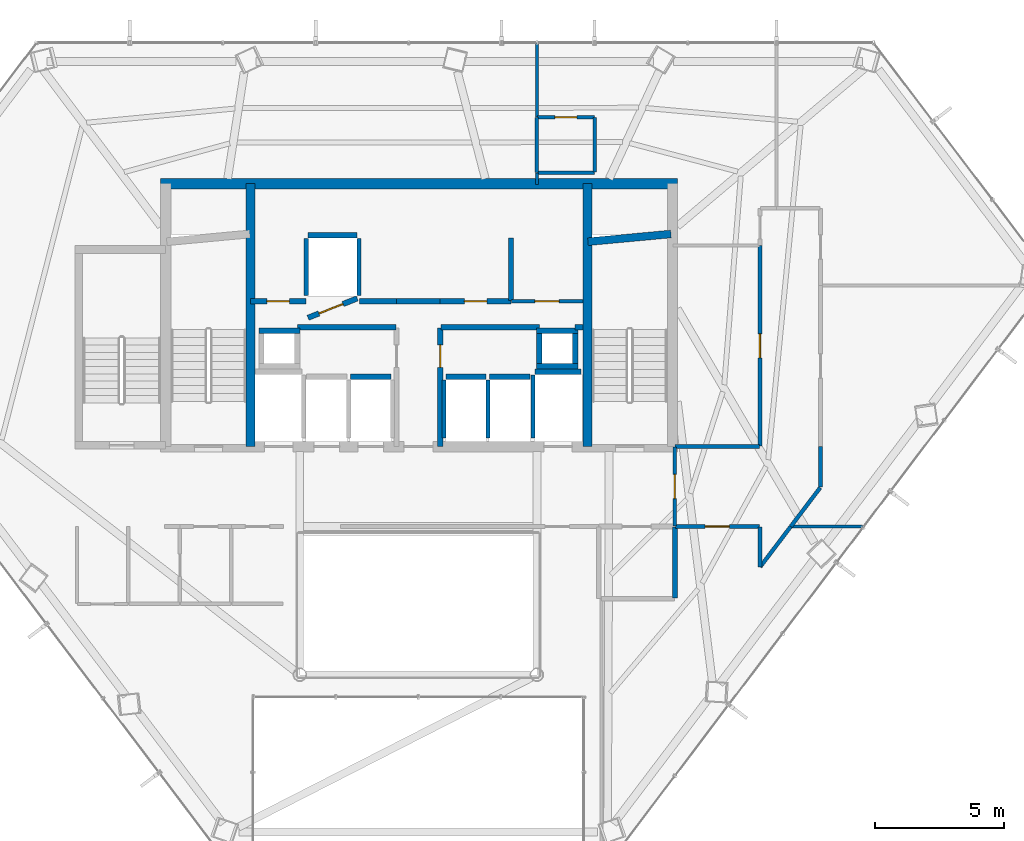
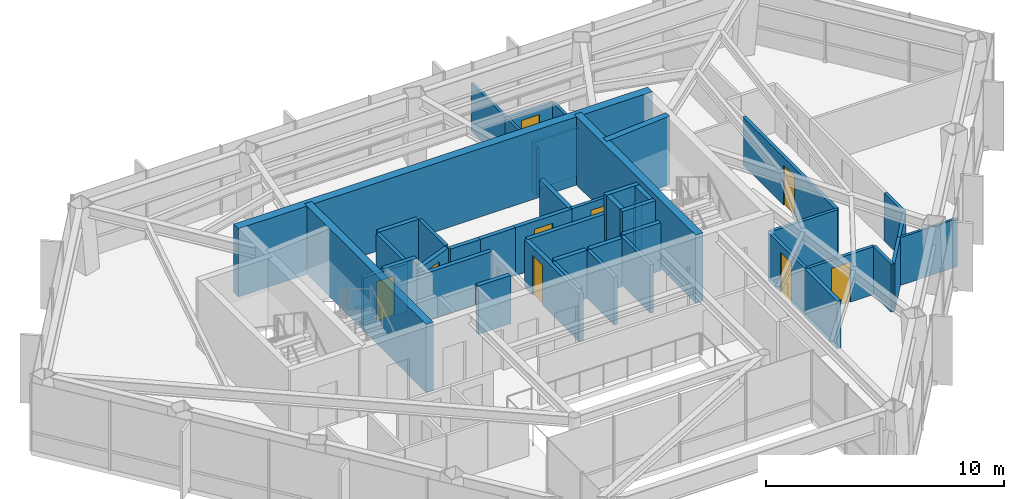
# One storey, part 28 of 30: 46 walls, 9 doors, 9 openings.
"""IFC4 building model written with IfcOpenShell, lengths in metres."""

from ifc_helpers import new_model, si_unit, direction, frame, frame_2d, origin, place, context, subcontext, project, spatial, rectangle, extrude, material, layer, layer_set, type_object, element, fill, save


model = new_model("IFC4")

# Units and contexts
model_context = context("Model", 3, precision=1e-05, world=origin(), true_north=direction((0.0, 1.0)))
body_context = subcontext(model_context, "Body", "Model", "MODEL_VIEW")
ifc_project = project(units=[si_unit("LENGTHUNIT", "METRE"), si_unit("AREAUNIT", "SQUARE_METRE"), si_unit("VOLUMEUNIT", "CUBIC_METRE"), si_unit("PLANEANGLEUNIT", "RADIAN"), si_unit("MASSUNIT", "GRAM", prefix="KILO")], contexts=[model_context])

# Site, building, storey
site_placement = place(None, origin())
site = spatial("IfcSite", under=ifc_project, at=site_placement, CompositionType="ELEMENT")
building_placement = place(site_placement, origin())
building = spatial("IfcBuilding", under=site, at=building_placement, Name="Zarrinselat Tower", CompositionType="ELEMENT")
storey_placement = place(building_placement, frame((0.0, 0.0, 160.820068359375)))
storey = spatial("IfcBuildingStorey", under=building, at=storey_placement, Name="L39", CompositionType="ELEMENT", Elevation=160.820068359375)

# Wall
ifc_material_1 = material(Name="Concrete C40/50", Category="concrete")
ifc_layer_1 = layer(ifc_material_1, 0.18994140625)
ifc_layer_set_1 = layer_set([ifc_layer_1], Name="Concrete C40/50")
wall_type_1 = type_object("IfcWallType", Name="WAL-PART-EI120", PredefinedType="PARTITIONING", material=ifc_layer_set_1)
wall_1_placement = place(storey_placement, frame((48.35009765625, 27.3701171875, 0.0), z_axis=(0.0, 0.0, 1.0), x_axis=(0.0, 1.0, 0.0)))
element("IfcWall", 1, at=wall_1_placement, inside=storey, type_object=wall_type_1, Name="L39 Partition Wall 19", PredefinedType="PARTITIONING", context=body_context, shape_type="SweptSolid", body=[
    extrude(rectangle(XDim=2.759765625, YDim=0.18994140625, at=frame_2d((1.3798828125, 0.0))), origin(), (0.0, 0.0, 1.0), 2.45703125),
])

# Wall, opening, door
ifc_material_2 = material(Name="Fire-Rated Gypsum Board Partition", Category="gypsum")
ifc_layer_2 = layer(ifc_material_2, 0.14990234375)
ifc_layer_set_2 = layer_set([ifc_layer_2], Name="Fire-Rated Gypsum Board Partition")
wall_type_2 = type_object("IfcWallType", Name="WAL-PART-EI60", PredefinedType="PARTITIONING", material=ifc_layer_set_2)
wall_2_placement = place(storey_placement, frame((42.0048828125, 38.889892578125, 0.0), z_axis=(0.0, 0.0, 1.0), x_axis=(1.0, 0.0, 0.0)))
wall_2 = element("IfcWall", 2, at=wall_2_placement, inside=storey, type_object=wall_type_2, Name="L39 Partition Wall 7", PredefinedType="PARTITIONING", context=body_context, shape_type="SweptSolid", body=[
    extrude(rectangle(XDim=2.780029296875, YDim=0.14990234375, at=frame_2d((1.39013671875, 0.0))), origin(), (0.0, 0.0, 1.0), 2.45703125),
])
opening_1_placement = place(wall_2_placement, frame((0.919921875, 0.0, 0.0)))
opening_1 = element("IfcOpeningElement", 3, at=opening_1_placement, cuts=wall_2, Name="Opening ID-04", PredefinedType="OPENING", context=body_context, shape_type="SweptSolid", body=[
    extrude(rectangle(XDim=0.93994140625, YDim=2.050048828125, at=frame_2d((0.469970703125, 1.02490234375))), frame((0.0, 0.0849609375, 0.0), z_axis=(0.0, -1.0, 0.0), x_axis=(1.0, 0.0, 0.0)), (0.0, 0.0, 1.0), 0.169921875),
])
ifc_material_3 = material(Name="Fire-Rated Gypsum Board Partition")
door_type_1 = type_object("IfcDoorType", Name="DR-INT-FD30-ENT", OperationType="NOTDEFINED", PredefinedType="DOOR", material=ifc_material_3)
door_1_placement = place(opening_1_placement, origin())
door_1 = element("IfcDoor", 4, at=door_1_placement, inside=storey, type_object=door_type_1, Name="L39 Interior Door P7", OperationType="SINGLE_SWING_LEFT", OverallHeight=2.050048828125, OverallWidth=0.93994140625, PredefinedType="DOOR", context=body_context, shape_type="SweptSolid", body=[
    extrude(rectangle(XDim=0.93994140625, YDim=2.050048828125, at=frame_2d((0.469970703125, 1.02490234375))), frame((0.0, 0.02490234375, 0.0), z_axis=(0.0, -1.0, 0.0), x_axis=(1.0, 0.0, 0.0)), (0.0, 0.0, 1.0), 0.050048828125),
])
fill(opening_1, door_1)

wall_3_placement = place(storey_placement, frame((48.35009765625, 30.169921875, 0.0), z_axis=(0.0, 0.0, 1.0), x_axis=(0.0, 1.0, 0.0)))
wall_3 = element("IfcWall", 5, at=wall_3_placement, inside=storey, type_object=wall_type_2, Name="L39 Partition Wall 13", PredefinedType="PARTITIONING", context=body_context, shape_type="SweptSolid", body=[
    extrude(rectangle(XDim=3.06005859375, YDim=0.14990234375, at=frame_2d((1.530029296875, 0.0))), origin(), (0.0, 0.0, 1.0), 2.45703125),
])
opening_2_placement = place(wall_3_placement, frame((1.06005859375, 0.0, 0.0)))
opening_2 = element("IfcOpeningElement", 6, at=opening_2_placement, cuts=wall_3, Name="Opening ID-04", PredefinedType="OPENING", context=body_context, shape_type="SweptSolid", body=[
    extrude(rectangle(XDim=0.93994140625, YDim=2.050048828125, at=frame_2d((0.469970703125, 1.02490234375))), frame((0.0, 0.0849609375, 0.0), z_axis=(0.0, -1.0, 0.0), x_axis=(1.0, 0.0, 0.0)), (0.0, 0.0, 1.0), 0.169921875),
])
door_2_placement = place(opening_2_placement, origin())
door_2 = element("IfcDoor", 7, at=door_2_placement, inside=storey, type_object=door_type_1, Name="L39 Interior Door P13", OperationType="SINGLE_SWING_RIGHT", OverallHeight=2.050048828125, OverallWidth=0.93994140625, PredefinedType="DOOR", context=body_context, shape_type="SweptSolid", body=[
    extrude(rectangle(XDim=0.93994140625, YDim=2.050048828125, at=frame_2d((0.469970703125, 1.02490234375))), frame((0.0, 0.02490234375, 0.0), z_axis=(0.0, -1.0, 0.0), x_axis=(1.0, 0.0, 0.0)), (0.0, 0.0, 1.0), 0.050048828125),
])
fill(opening_2, door_2)

# Walls
wall_4_placement = place(storey_placement, frame((51.662109375, 28.585205078125, 0.0), z_axis=(0.0, 0.0, 1.0), x_axis=(0.603776226183, 0.797153855097, 0.0)))
element("IfcWall", 8, at=wall_4_placement, inside=storey, type_object=wall_type_2, Name="L39 Partition Wall 21", PredefinedType="PARTITIONING", context=body_context, shape_type="SweptSolid", body=[
    extrude(rectangle(XDim=1.9619140625, YDim=0.14990234375, at=frame_2d((0.98095703125, 0.0))), origin(), (0.0, 0.0, 1.0), 2.45703125),
])
wall_5_placement = place(storey_placement, frame((51.64990234375, 28.58935546875, 0.0), z_axis=(0.0, 0.0, 1.0), x_axis=(0.0, 1.0, 0.0)))
element("IfcWall", 9, at=wall_5_placement, inside=storey, type_object=wall_type_2, Name="L39 Partition Wall 22", PredefinedType="PARTITIONING", context=body_context, shape_type="SweptSolid", body=[
    extrude(rectangle(XDim=1.54052734375, YDim=0.14990234375, at=frame_2d((0.770263671875, 0.0))), origin(), (0.0, 0.0, 1.0), 2.45703125),
])

# Wall, opening, door
wall_6_placement = place(storey_placement, frame((48.3701171875, 30.14990234375, 0.0), z_axis=(0.0, 0.0, 1.0), x_axis=(1.0, 0.0, 0.0)))
wall_6 = element("IfcWall", 10, at=wall_6_placement, inside=storey, type_object=wall_type_2, Name="L39 Partition Wall 23", PredefinedType="PARTITIONING", context=body_context, shape_type="SweptSolid", body=[
    extrude(rectangle(XDim=3.259765625, YDim=0.14990234375, at=frame_2d((1.6298828125, 0.0))), origin(), (0.0, 0.0, 1.0), 2.45703125),
])
opening_3_placement = place(wall_6_placement, frame((1.159912109375, 0.0, 0.0)))
opening_3 = element("IfcOpeningElement", 11, at=opening_3_placement, cuts=wall_6, Name="Opening ID-04", PredefinedType="OPENING", context=body_context, shape_type="SweptSolid", body=[
    extrude(rectangle(XDim=0.93994140625, YDim=2.050048828125, at=frame_2d((0.469970703125, 1.02490234375))), frame((0.0, 0.0849609375, 0.0), z_axis=(0.0, -1.0, 0.0), x_axis=(1.0, 0.0, 0.0)), (0.0, 0.0, 1.0), 0.169921875),
])
door_3_placement = place(opening_3_placement, origin())
door_3 = element("IfcDoor", 12, at=door_3_placement, inside=storey, type_object=door_type_1, Name="L39 Interior Door P23", OperationType="SINGLE_SWING_RIGHT", OverallHeight=2.050048828125, OverallWidth=0.93994140625, PredefinedType="DOOR", context=body_context, shape_type="SweptSolid", body=[
    extrude(rectangle(XDim=0.93994140625, YDim=2.050048828125, at=frame_2d((0.469970703125, 1.02490234375))), frame((0.0, 0.02490234375, 0.0), z_axis=(0.0, -1.0, 0.0), x_axis=(1.0, 0.0, 0.0)), (0.0, 0.0, 1.0), 0.050048828125),
])
fill(opening_3, door_3)

# Walls
wall_7_placement = place(storey_placement, frame((54.0, 31.69140625, 0.0), z_axis=(0.0, 0.0, 1.0), x_axis=(0.0, 1.0, 0.0)))
element("IfcWall", 13, at=wall_7_placement, inside=storey, type_object=wall_type_2, Name="L39 Partition Wall 25", PredefinedType="PARTITIONING", context=body_context, shape_type="SweptSolid", body=[
    extrude(rectangle(XDim=1.55859375, YDim=0.14990234375, at=frame_2d((0.779296875, 0.0))), origin(), (0.0, 0.0, 1.0), 2.45703125),
])
wall_8_placement = place(storey_placement, frame((52.8505859375, 30.154052734375, 0.0), z_axis=(0.0, 0.0, 1.0), x_axis=(0.603767842841, 0.797160204696, 0.0)))
element("IfcWall", 14, at=wall_8_placement, inside=storey, type_object=wall_type_2, Name="L39 Partition Wall 26", PredefinedType="PARTITIONING", context=body_context, shape_type="SweptSolid", body=[
    extrude(rectangle(XDim=1.883544921875, YDim=0.14990234375, at=frame_2d((0.94189453125, 0.0))), origin(), (0.0, 0.0, 1.0), 2.45703125),
])
wall_9_placement = place(storey_placement, frame((48.364990234375, 33.25, 0.0), z_axis=(0.0, 0.0, 1.0), x_axis=(1.0, 0.0, 0.0)))
element("IfcWall", 15, at=wall_9_placement, inside=storey, type_object=wall_type_2, Name="L39 Partition Wall 29", PredefinedType="PARTITIONING", context=body_context, shape_type="SweptSolid", body=[
    extrude(rectangle(XDim=3.264892578125, YDim=0.14990234375, at=frame_2d((1.63232421875, 0.0))), origin(), (0.0, 0.0, 1.0), 2.45703125),
])

# Wall, opening, door
wall_10_placement = place(storey_placement, frame((51.64990234375, 33.27001953125, 0.0), z_axis=(0.0, 0.0, 1.0), x_axis=(0.0, 1.0, 0.0)))
wall_10 = element("IfcWall", 16, at=wall_10_placement, inside=storey, type_object=wall_type_2, Name="L39 Partition Wall 30", PredefinedType="PARTITIONING", context=body_context, shape_type="SweptSolid", body=[
    extrude(rectangle(XDim=7.7783203125, YDim=0.14990234375, at=frame_2d((3.88916015625, 0.0))), origin(), (0.0, 0.0, 1.0), 2.45703125),
])
opening_4_placement = place(wall_10_placement, frame((3.419189453125, 0.0, 0.0)))
opening_4 = element("IfcOpeningElement", 17, at=opening_4_placement, cuts=wall_10, Name="Opening ID-04", PredefinedType="OPENING", context=body_context, shape_type="SweptSolid", body=[
    extrude(rectangle(XDim=0.93994140625, YDim=2.050048828125, at=frame_2d((0.469970703125, 1.02490234375))), frame((0.0, 0.0849609375, 0.0), z_axis=(0.0, -1.0, 0.0), x_axis=(1.0, 0.0, 0.0)), (0.0, 0.0, 1.0), 0.169921875),
])
door_4_placement = place(opening_4_placement, origin())
door_4 = element("IfcDoor", 18, at=door_4_placement, inside=storey, type_object=door_type_1, Name="L39 Interior Door P30", OperationType="SINGLE_SWING_LEFT", OverallHeight=2.050048828125, OverallWidth=0.93994140625, PredefinedType="DOOR", context=body_context, shape_type="SweptSolid", body=[
    extrude(rectangle(XDim=0.93994140625, YDim=2.050048828125, at=frame_2d((0.469970703125, 1.02490234375))), frame((0.0, 0.02490234375, 0.0), z_axis=(0.0, -1.0, 0.0), x_axis=(1.0, 0.0, 0.0)), (0.0, 0.0, 1.0), 0.050048828125),
])
fill(opening_4, door_4)

# Wall
ifc_material_4 = material(Name="Concrete C40/50", Category="concrete")
ifc_layer_3 = layer(ifc_material_4, 0.199951171875)
ifc_layer_set_3 = layer_set([ifc_layer_3], Name="Concrete C40/50")
wall_type_3 = type_object("IfcWallType", Name="WAL-PART-PLANT", PredefinedType="PARTITIONING", material=ifc_layer_set_3)
wall_11_placement = place(storey_placement, frame((33.705078125, 37.8798828125, 0.0), z_axis=(0.0, 0.0, 1.0), x_axis=(1.0, 0.0, 0.0)))
element("IfcWall", 19, at=wall_11_placement, inside=storey, type_object=wall_type_3, Name="L39 Partition Wall 2", PredefinedType="PARTITIONING", context=body_context, shape_type="SweptSolid", body=[
    extrude(rectangle(XDim=3.824951171875, YDim=0.199951171875, at=frame_2d((1.91259765625, 0.0))), origin(), (0.0, 0.0, 1.0), 2.45703125),
])

# Wall, opening, door
wall_12_placement = place(storey_placement, frame((31.885009765625, 38.889892578125, 0.0), z_axis=(0.0, 0.0, 1.0), x_axis=(1.0, 0.0, 0.0)))
wall_12 = element("IfcWall", 20, at=wall_12_placement, inside=storey, type_object=wall_type_3, Name="L39 Partition Wall 3", PredefinedType="PARTITIONING", context=body_context, shape_type="SweptSolid", body=[
    extrude(rectangle(XDim=2.14990234375, YDim=0.199951171875, at=frame_2d((1.074951171875, 0.0))), origin(), (0.0, 0.0, 1.0), 2.45703125),
])
opening_5_placement = place(wall_12_placement, frame((0.635009765625, 0.0, 0.0)))
opening_5 = element("IfcOpeningElement", 21, at=opening_5_placement, cuts=wall_12, Name="Opening ID-03", PredefinedType="OPENING", context=body_context, shape_type="SweptSolid", body=[
    extrude(rectangle(XDim=0.8798828125, YDim=2.050048828125, at=frame_2d((0.43994140625, 1.02490234375))), frame((0.0, 0.10986328125, 0.0), z_axis=(0.0, -1.0, 0.0), x_axis=(1.0, 0.0, 0.0)), (0.0, 0.0, 1.0), 0.219970703125),
])
ifc_material_5 = material(Name="Steel S355J2", Category="steel")
door_type_2 = type_object("IfcDoorType", Name="DR-INT-FD60-S", OperationType="NOTDEFINED", PredefinedType="DOOR", material=ifc_material_5)
door_5_placement = place(opening_5_placement, origin())
door_5 = element("IfcDoor", 22, at=door_5_placement, inside=storey, type_object=door_type_2, Name="L39 Interior Door P3", OperationType="SINGLE_SWING_LEFT", OverallHeight=2.050048828125, OverallWidth=0.8798828125, PredefinedType="DOOR", context=body_context, shape_type="SweptSolid", body=[
    extrude(rectangle(XDim=0.8798828125, YDim=2.050048828125, at=frame_2d((0.43994140625, 1.02490234375))), frame((0.0, 0.02490234375, 0.0), z_axis=(0.0, -1.0, 0.0), x_axis=(1.0, 0.0, 0.0)), (0.0, 0.0, 1.0), 0.050048828125),
])
fill(opening_5, door_5)

# Walls
wall_13_placement = place(storey_placement, frame((36.114990234375, 38.889892578125, 0.0), z_axis=(0.0, 0.0, 1.0), x_axis=(1.0, 0.0, 0.0)))
element("IfcWall", 23, at=wall_13_placement, inside=storey, type_object=wall_type_3, Name="L39 Partition Wall 4", PredefinedType="PARTITIONING", context=body_context, shape_type="SweptSolid", body=[
    extrude(rectangle(XDim=1.43505859375, YDim=0.199951171875, at=frame_2d((0.717529296875, 0.0))), origin(), (0.0, 0.0, 1.0), 2.45703125),
])
wall_14_placement = place(storey_placement, frame((37.550048828125, 38.889892578125, 0.0), z_axis=(0.0, 0.0, 1.0), x_axis=(1.0, 0.0, 0.0)))
element("IfcWall", 24, at=wall_14_placement, inside=storey, type_object=wall_type_3, Name="L39 Partition Wall 5", PredefinedType="PARTITIONING", context=body_context, shape_type="SweptSolid", body=[
    extrude(rectangle(XDim=1.699951171875, YDim=0.199951171875, at=frame_2d((0.85009765625, 0.0))), origin(), (0.0, 0.0, 1.0), 2.45703125),
])

# Wall, opening, door
wall_15_placement = place(storey_placement, frame((39.25, 38.889892578125, 0.0), z_axis=(0.0, 0.0, 1.0), x_axis=(1.0, 0.0, 0.0)))
wall_15 = element("IfcWall", 25, at=wall_15_placement, inside=storey, type_object=wall_type_3, Name="L39 Partition Wall 6", PredefinedType="PARTITIONING", context=body_context, shape_type="SweptSolid", body=[
    extrude(rectangle(XDim=2.7451171875, YDim=0.199951171875, at=frame_2d((1.37255859375, 0.0))), origin(), (0.0, 0.0, 1.0), 2.45703125),
])
opening_6_placement = place(wall_15_placement, frame((0.9326171875, 0.0, 0.0)))
opening_6 = element("IfcOpeningElement", 26, at=opening_6_placement, cuts=wall_15, Name="Opening ID-03", PredefinedType="OPENING", context=body_context, shape_type="SweptSolid", body=[
    extrude(rectangle(XDim=0.8798828125, YDim=2.050048828125, at=frame_2d((0.43994140625, 1.02490234375))), frame((0.0, 0.10986328125, 0.0), z_axis=(0.0, -1.0, 0.0), x_axis=(1.0, 0.0, 0.0)), (0.0, 0.0, 1.0), 0.219970703125),
])
door_6_placement = place(opening_6_placement, origin())
door_6 = element("IfcDoor", 27, at=door_6_placement, inside=storey, type_object=door_type_2, Name="L39 Interior Door P6", OperationType="SINGLE_SWING_RIGHT", OverallHeight=2.050048828125, OverallWidth=0.8798828125, PredefinedType="DOOR", context=body_context, shape_type="SweptSolid", body=[
    extrude(rectangle(XDim=0.8798828125, YDim=2.050048828125, at=frame_2d((0.43994140625, 1.02490234375))), frame((0.0, 0.02490234375, 0.0), z_axis=(0.0, -1.0, 0.0), x_axis=(1.0, 0.0, 0.0)), (0.0, 0.0, 1.0), 0.050048828125),
])
fill(opening_6, door_6)

# Walls
wall_16_placement = place(storey_placement, frame((39.27001953125, 37.8798828125, 0.0), z_axis=(0.0, 0.0, 1.0), x_axis=(1.0, 0.0, 0.0)))
element("IfcWall", 28, at=wall_16_placement, inside=storey, type_object=wall_type_3, Name="L39 Partition Wall 8", PredefinedType="PARTITIONING", context=body_context, shape_type="SweptSolid", body=[
    extrude(rectangle(XDim=3.824951171875, YDim=0.199951171875, at=frame_2d((1.91259765625, 0.0))), origin(), (0.0, 0.0, 1.0), 2.45703125),
])
wall_17_placement = place(storey_placement, frame((44.485107421875, 37.8798828125, 0.0), z_axis=(0.0, 0.0, 1.0), x_axis=(1.0, 0.0, 0.0)))
element("IfcWall", 29, at=wall_17_placement, inside=storey, type_object=wall_type_3, Name="L39 Partition Wall 9", PredefinedType="PARTITIONING", context=body_context, shape_type="SweptSolid", body=[
    extrude(rectangle(XDim=0.2998046875, YDim=0.199951171875, at=frame_2d((0.14990234375, 0.0))), origin(), (0.0, 0.0, 1.0), 2.45703125),
])

# Wall, opening, door
wall_18_placement = place(storey_placement, frame((39.25, 33.264892578125, 0.0), z_axis=(0.0, 0.0, 1.0), x_axis=(0.0, 1.0, 0.0)))
wall_18 = element("IfcWall", 30, at=wall_18_placement, inside=storey, type_object=wall_type_3, Name="L39 Partition Wall 10", PredefinedType="PARTITIONING", context=body_context, shape_type="SweptSolid", body=[
    extrude(rectangle(XDim=4.59521484375, YDim=0.199951171875, at=frame_2d((2.297607421875, 0.0))), origin(), (0.0, 0.0, 1.0), 2.45703125),
])
opening_7_placement = place(wall_18_placement, frame((3.0576171875, 0.0, 0.0)))
opening_7 = element("IfcOpeningElement", 31, at=opening_7_placement, cuts=wall_18, Name="Opening ID-03", PredefinedType="OPENING", context=body_context, shape_type="SweptSolid", body=[
    extrude(rectangle(XDim=0.8798828125, YDim=2.050048828125, at=frame_2d((0.43994140625, 1.02490234375))), frame((0.0, 0.10986328125, 0.0), z_axis=(0.0, -1.0, 0.0), x_axis=(1.0, 0.0, 0.0)), (0.0, 0.0, 1.0), 0.219970703125),
])
door_7_placement = place(opening_7_placement, origin())
door_7 = element("IfcDoor", 32, at=door_7_placement, inside=storey, type_object=door_type_2, Name="L39 Interior Door P10", OperationType="SINGLE_SWING_RIGHT", OverallHeight=2.050048828125, OverallWidth=0.8798828125, PredefinedType="DOOR", context=body_context, shape_type="SweptSolid", body=[
    extrude(rectangle(XDim=0.8798828125, YDim=2.050048828125, at=frame_2d((0.43994140625, 1.02490234375))), frame((0.0, 0.02490234375, 0.0), z_axis=(0.0, -1.0, 0.0), x_axis=(1.0, 0.0, 0.0)), (0.0, 0.0, 1.0), 0.050048828125),
])
fill(opening_7, door_7)

# Walls
wall_19_placement = place(storey_placement, frame((42.0, 38.909912109375, 0.0), z_axis=(0.0, 0.0, 1.0), x_axis=(0.0, 1.0, 0.0)))
element("IfcWall", 33, at=wall_19_placement, inside=storey, type_object=wall_type_3, Name="L39 Partition Wall 11", PredefinedType="PARTITIONING", context=body_context, shape_type="SweptSolid", body=[
    extrude(rectangle(XDim=2.440185546875, YDim=0.199951171875, at=frame_2d((1.22021484375, 0.0))), origin(), (0.0, 0.0, 1.0), 2.45703125),
])
ifc_material_6 = material(Name="Fire-Rated Gypsum Board Partition", Category="gypsum")
ifc_layer_4 = layer(ifc_material_6, 0.1201171875)
ifc_layer_set_4 = layer_set([ifc_layer_4], Name="Fire-Rated Gypsum Board Partition")
wall_type_4 = type_object("IfcWallType", Name="WAL-PART-STD", PredefinedType="PARTITIONING", material=ifc_layer_set_4)
wall_20_placement = place(storey_placement, frame((52.867431640625, 30.14990234375, 0.0), z_axis=(0.0, 0.0, 1.0), x_axis=(1.0, 0.0, 0.0)))
element("IfcWall", 34, at=wall_20_placement, inside=storey, type_object=wall_type_4, Name="L39 Partition Wall 42", PredefinedType="PARTITIONING", context=body_context, shape_type="SweptSolid", body=[
    extrude(rectangle(XDim=2.80029296875, YDim=0.1201171875, at=frame_2d((1.400146484375, 0.0))), origin(), (0.0, 0.0, 1.0), 2.45703125),
])
wall_21_placement = place(storey_placement, frame((43.0, 46.034912109375, 0.0), z_axis=(0.0, 0.0, 1.0), x_axis=(0.0, 1.0, 0.0)))
element("IfcWall", 35, at=wall_21_placement, inside=storey, type_object=wall_type_4, Name="L39 Partition Wall 43", PredefinedType="PARTITIONING", context=body_context, shape_type="SweptSolid", body=[
    extrude(rectangle(XDim=2.86669921875, YDim=0.1201171875, at=frame_2d((1.433349609375, 0.0))), origin(), (0.0, 0.0, 1.0), 2.45703125),
])
wall_22_placement = place(storey_placement, frame((43.0, 43.4150390625, 0.0), z_axis=(0.0, 0.0, 1.0), x_axis=(0.0, 1.0, 0.0)))
element("IfcWall", 36, at=wall_22_placement, inside=storey, type_object=wall_type_4, Name="L39 Partition Wall 44", PredefinedType="PARTITIONING", context=body_context, shape_type="SweptSolid", body=[
    extrude(rectangle(XDim=0.4599609375, YDim=0.1201171875, at=frame_2d((0.22998046875, 0.0))), origin(), (0.0, 0.0, 1.0), 2.45703125),
])
ifc_material_7 = material(Name="Fire-Rated Gypsum Board Partition", Category="gypsum")
ifc_layer_5 = layer(ifc_material_7, 0.135009765625)
ifc_layer_set_5 = layer_set([ifc_layer_5], Name="Fire-Rated Gypsum Board Partition")
wall_type_5 = type_object("IfcWallType", Name="WAL-PART-WET", PredefinedType="PARTITIONING", material=ifc_layer_set_5)
wall_23_placement = place(storey_placement, frame((43.0, 43.885009765625, 0.0), z_axis=(0.0, 0.0, 1.0), x_axis=(0.0, 1.0, 0.0)))
element("IfcWall", 37, at=wall_23_placement, inside=storey, type_object=wall_type_5, Name="L39 Partition Wall 45", PredefinedType="PARTITIONING", context=body_context, shape_type="SweptSolid", body=[
    extrude(rectangle(XDim=2.139892578125, YDim=0.135009765625, at=frame_2d((1.06982421875, 0.0))), origin(), (0.0, 0.0, 1.0), 2.45703125),
])
wall_24_placement = place(storey_placement, frame((43.02001953125, 43.8798828125, 0.0), z_axis=(0.0, 0.0, 1.0), x_axis=(1.0, 0.0, 0.0)))
element("IfcWall", 38, at=wall_24_placement, inside=storey, type_object=wall_type_5, Name="L39 Partition Wall 49", PredefinedType="PARTITIONING", context=body_context, shape_type="SweptSolid", body=[
    extrude(rectangle(XDim=2.2099609375, YDim=0.135009765625, at=frame_2d((1.10498046875, 0.0))), origin(), (0.0, 0.0, 1.0), 2.45703125),
])
wall_25_placement = place(storey_placement, frame((45.25, 43.89990234375, 0.0), z_axis=(0.0, 0.0, 1.0), x_axis=(0.0, 1.0, 0.0)))
element("IfcWall", 39, at=wall_25_placement, inside=storey, type_object=wall_type_5, Name="L39 Partition Wall 50", PredefinedType="PARTITIONING", context=body_context, shape_type="SweptSolid", body=[
    extrude(rectangle(XDim=2.110107421875, YDim=0.135009765625, at=frame_2d((1.05517578125, 0.0))), origin(), (0.0, 0.0, 1.0), 2.45703125),
])

# Wall, opening, door
wall_26_placement = place(storey_placement, frame((43.02001953125, 46.030029296875, 0.0), z_axis=(0.0, 0.0, 1.0), x_axis=(1.0, 0.0, 0.0)))
wall_26 = element("IfcWall", 40, at=wall_26_placement, inside=storey, type_object=wall_type_5, Name="L39 Partition Wall 51", PredefinedType="PARTITIONING", context=body_context, shape_type="SweptSolid", body=[
    extrude(rectangle(XDim=2.2099609375, YDim=0.135009765625, at=frame_2d((1.10498046875, 0.0))), origin(), (0.0, 0.0, 1.0), 2.45703125),
])
opening_8_placement = place(wall_26_placement, frame((0.675048828125, 0.0, 0.0)))
opening_8 = element("IfcOpeningElement", 41, at=opening_8_placement, cuts=wall_26, Name="Opening ID-06", PredefinedType="OPENING", context=body_context, shape_type="SweptSolid", body=[
    extrude(rectangle(XDim=0.860107421875, YDim=2.050048828125, at=frame_2d((0.43017578125, 1.02490234375))), frame((0.0, 0.077392578125, 0.0), z_axis=(0.0, -1.0, 0.0), x_axis=(1.0, 0.0, 0.0)), (0.0, 0.0, 1.0), 0.155029296875),
])
ifc_material_8 = material(Name="Extruded Aluminium Alloy EN AW-6063 T6", Category="aluminium")
door_type_3 = type_object("IfcDoorType", Name="DR-INT-WET-900", OperationType="NOTDEFINED", PredefinedType="DOOR", material=ifc_material_8)
door_8_placement = place(opening_8_placement, origin())
door_8 = element("IfcDoor", 42, at=door_8_placement, inside=storey, type_object=door_type_3, Name="L39 Interior Door P51", OperationType="SINGLE_SWING_LEFT", OverallHeight=2.050048828125, OverallWidth=0.860107421875, PredefinedType="DOOR", context=body_context, shape_type="SweptSolid", body=[
    extrude(rectangle(XDim=0.860107421875, YDim=2.050048828125, at=frame_2d((0.43017578125, 1.02490234375))), frame((0.0, 0.02490234375, 0.0), z_axis=(0.0, -1.0, 0.0), x_axis=(1.0, 0.0, 0.0)), (0.0, 0.0, 1.0), 0.050048828125),
])
fill(opening_8, door_8)

# Walls
ifc_material_9 = material(Name="Concrete C40/50", Category="concrete")
ifc_layer_6 = layer(ifc_material_9, 0.2099609375)
ifc_layer_set_6 = layer_set([ifc_layer_6], Name="Concrete C40/50")
wall_type_6 = type_object("IfcWallType", Name="WAL-SHAFT-210", PredefinedType="SOLIDWALL", material=ifc_layer_set_6)
wall_27_placement = place(storey_placement, frame((42.919921875, 36.155029296875, 0.0), z_axis=(0.0, 0.0, 1.0), x_axis=(1.0, 0.0, 0.0)))
element("IfcWall", 43, at=wall_27_placement, inside=storey, type_object=wall_type_6, Name="L39 Lift FFL2 North Shaft Wall", PredefinedType="SOLIDWALL", context=body_context, shape_type="SweptSolid", body=[
    extrude(rectangle(XDim=1.800048828125, YDim=0.2099609375, at=frame_2d((0.89990234375, 0.0))), origin(), (0.0, 0.0, 1.0), 2.471923828125),
])
wall_28_placement = place(storey_placement, frame((42.85009765625, 33.580078125, 0.0), z_axis=(0.0, 0.0, 1.0), x_axis=(0.0, 1.0, 0.0)))
element("IfcWall", 44, at=wall_28_placement, inside=storey, type_object=wall_type_6, Name="L39 Lift FFL2 W Shaft Wall", PredefinedType="SOLIDWALL", context=body_context, shape_type="SweptSolid", body=[
    extrude(rectangle(XDim=2.449951171875, YDim=0.159912109375, at=frame_2d((1.22509765625, 0.0))), origin(), (0.0, 0.0, 1.0), 2.471923828125),
])
wall_29_placement = place(storey_placement, frame((35.77001953125, 35.955078125, 0.0), z_axis=(0.0, 0.0, 1.0), x_axis=(1.0, 0.0, 0.0)))
element("IfcWall", 45, at=wall_29_placement, inside=storey, type_object=wall_type_6, Name="L39 Lift PL6 North Shaft Wall", PredefinedType="SOLIDWALL", context=body_context, shape_type="SweptSolid", body=[
    extrude(rectangle(XDim=1.56005859375, YDim=0.2099609375, at=frame_2d((0.780029296875, 0.0))), origin(), (0.0, 0.0, 1.0), 2.471923828125),
])

# Wall, opening, door
wall_30_placement = place(storey_placement, frame((34.1201171875, 38.25, 0.0), z_axis=(0.0, 0.0, 1.0), x_axis=(0.930804993012, 0.36551616241, 0.0)))
wall_30 = element("IfcWall", 46, at=wall_30_placement, inside=storey, type_object=wall_type_6, Name="L39 Lift PL7 Front Shaft Wall", PredefinedType="SOLIDWALL", context=body_context, shape_type="SweptSolid", body=[
    extrude(rectangle(XDim=2.052001953125, YDim=0.2099609375, at=frame_2d((1.02587890625, 0.0))), origin(), (0.0, 0.0, 1.0), 2.471923828125),
])
opening_9_placement = place(wall_30_placement, frame((0.455078125, 0.0, 0.0)))
opening_9 = element("IfcOpeningElement", 47, at=opening_9_placement, cuts=wall_30, Name="Opening LD-PL7", PredefinedType="OPENING", context=body_context, shape_type="SweptSolid", body=[
    extrude(rectangle(XDim=1.0, YDim=2.10009765625, at=frame_2d((0.5, 1.050048828125))), frame((0.0, 0.114990234375, 0.0), z_axis=(0.0, -1.0, 0.0), x_axis=(1.0, 0.0, 0.0)), (0.0, 0.0, 1.0), 0.22998046875),
])
ifc_material_10 = material(Name="Steel S355J2", Category="steel")
door_type_4 = type_object("IfcDoorType", Name="DR-LIFT-PS-1000", OperationType="NOTDEFINED", PredefinedType="DOOR", material=ifc_material_10)
door_9_placement = place(opening_9_placement, origin())
door_9 = element("IfcDoor", 48, at=door_9_placement, inside=storey, type_object=door_type_4, Name="L39 Lift PL7 Sliding Landing Door", OperationType="SLIDING_TO_LEFT", OverallHeight=2.10009765625, OverallWidth=1.0, PredefinedType="DOOR", context=body_context, shape_type="SweptSolid", body=[
    extrude(rectangle(XDim=1.0, YDim=2.10009765625, at=frame_2d((0.5, 1.050048828125))), frame((0.0, 0.02490234375, 0.0), z_axis=(0.0, -1.0, 0.0), x_axis=(1.0, 0.0, 0.0)), (0.0, 0.0, 1.0), 0.050048828125),
])
fill(opening_9, door_9)

# Walls
wall_31_placement = place(storey_placement, frame((34.1201171875, 41.455078125, 0.0), z_axis=(0.0, 0.0, 1.0), x_axis=(1.0, 0.0, 0.0)))
element("IfcWall", 49, at=wall_31_placement, inside=storey, type_object=wall_type_6, Name="L39 Lift PL7 Rear Shaft Wall", PredefinedType="SOLIDWALL", context=body_context, shape_type="SweptSolid", body=[
    extrude(rectangle(XDim=1.909912109375, YDim=0.2099609375, at=frame_2d((0.955078125, 0.0))), origin(), (0.0, 0.0, 1.0), 2.471923828125),
])
for number, where, z_axis, x_axis, name in (
    (50, (34.050048828125, 39.1201171875, 0.0), (0.0, 0.0, 1.0), (0.0, 1.0, 0.0), "L39 Lift PL7 W Shaft Wall"),
    (51, (36.10009765625, 39.1201171875, 0.0), (0.0, 0.0, 1.0), (0.0, 1.0, 0.0), "L39 Lift PL7 E Shaft Wall"),
):
    element("IfcWall", number, at=place(storey_placement, frame(where, z_axis=z_axis, x_axis=x_axis)), inside=storey, type_object=wall_type_6, Name=name, PredefinedType="SOLIDWALL", context=body_context, shape_type="SweptSolid", body=[
        extrude(rectangle(XDim=2.2099609375, YDim=0.159912109375, at=frame_2d((1.10498046875, 0.0))), origin(), (0.0, 0.0, 1.0), 2.471923828125),
    ])
wall_32_placement = place(storey_placement, frame((39.469970703125, 35.955078125, 0.0), z_axis=(0.0, 0.0, 1.0), x_axis=(1.0, 0.0, 0.0)))
element("IfcWall", 52, at=wall_32_placement, inside=storey, type_object=wall_type_6, Name="L39 Lift PL8 North Shaft Wall", PredefinedType="SOLIDWALL", context=body_context, shape_type="SweptSolid", body=[
    extrude(rectangle(XDim=1.56005859375, YDim=0.2099609375, at=frame_2d((0.780029296875, 0.0))), origin(), (0.0, 0.0, 1.0), 2.471923828125),
])
for number, where, z_axis, x_axis, name in (
    (53, (39.39990234375, 33.580078125, 0.0), (0.0, 0.0, 1.0), (0.0, 1.0, 0.0), "L39 Lift PL8 W Shaft Wall"),
    (54, (41.10009765625, 33.580078125, 0.0), (0.0, 0.0, 1.0), (0.0, 1.0, 0.0), "L39 Lift PL8 E Shaft Wall"),
):
    element("IfcWall", number, at=place(storey_placement, frame(where, z_axis=z_axis, x_axis=x_axis)), inside=storey, type_object=wall_type_6, Name=name, PredefinedType="SOLIDWALL", context=body_context, shape_type="SweptSolid", body=[
        extrude(rectangle(XDim=2.25, YDim=0.159912109375, at=frame_2d((1.125, 0.0))), origin(), (0.0, 0.0, 1.0), 2.471923828125),
    ])
wall_33_placement = place(storey_placement, frame((41.169921875, 35.955078125, 0.0), z_axis=(0.0, 0.0, 1.0), x_axis=(1.0, 0.0, 0.0)))
element("IfcWall", 55, at=wall_33_placement, inside=storey, type_object=wall_type_6, Name="L39 Lift PL9 North Shaft Wall", PredefinedType="SOLIDWALL", context=body_context, shape_type="SweptSolid", body=[
    extrude(rectangle(XDim=1.56005859375, YDim=0.2099609375, at=frame_2d((0.780029296875, 0.0))), origin(), (0.0, 0.0, 1.0), 2.471923828125),
])
for number, where, z_axis, x_axis, name in (
    (56, (32.2099609375, 37.7451171875, 0.0), (0.0, 0.0, 1.0), (1.0, 0.0, 0.0), "L39 Core Riser RSR-W N Shaft Wall"),
    (57, (42.989990234375, 36.375, 0.0), (0.0, 0.0, 1.0), (1.0, 0.0, 0.0), "L39 Core Riser RSR-E S Shaft Wall"),
    (58, (42.989990234375, 37.7451171875, 0.0), (0.0, 0.0, 1.0), (1.0, 0.0, 0.0), "L39 Core Riser RSR-E N Shaft Wall"),
):
    element("IfcWall", number, at=place(storey_placement, frame(where, z_axis=z_axis, x_axis=x_axis)), inside=storey, type_object=wall_type_6, Name=name, PredefinedType="SOLIDWALL", context=body_context, shape_type="SweptSolid", body=[
        extrude(rectangle(XDim=1.60009765625, YDim=0.2099609375, at=frame_2d((0.800048828125, 0.0))), origin(), (0.0, 0.0, 1.0), 3.5),
    ])
for number, where, z_axis, x_axis, name in (
    (59, (43.094970703125, 36.485107421875, 0.0), (0.0, 0.0, 1.0), (0.0, 1.0, 0.0), "L39 Core Riser RSR-E W Shaft Wall"),
    (60, (44.485107421875, 36.485107421875, 0.0), (0.0, 0.0, 1.0), (0.0, 1.0, 0.0), "L39 Core Riser RSR-E E Shaft Wall"),
):
    element("IfcWall", number, at=place(storey_placement, frame(where, z_axis=z_axis, x_axis=x_axis)), inside=storey, type_object=wall_type_6, Name=name, PredefinedType="SOLIDWALL", context=body_context, shape_type="SweptSolid", body=[
        extrude(rectangle(XDim=1.14990234375, YDim=0.2099609375, at=frame_2d((0.574951171875, 0.0))), origin(), (0.0, 0.0, 1.0), 3.5),
    ])
ifc_material_11 = material(Name="Concrete C40/50", Category="concrete")
ifc_layer_7 = layer(ifc_material_11, 0.300048828125)
ifc_layer_set_7 = layer_set([ifc_layer_7], Name="Concrete C40/50")
wall_type_7 = type_object("IfcWallType", Name="WAL-SHEAR-300", PredefinedType="SHEAR", material=ifc_layer_set_7)
wall_34_placement = place(storey_placement, frame((44.97998046875, 41.199951171875, 0.0), z_axis=(0.0, 0.0, 1.0), x_axis=(0.995686468965, 0.09278176286, 0.0)))
element("IfcWall", 61, at=wall_34_placement, inside=storey, type_object=wall_type_7, Name="L39 Stair 2 North Shaft Wall", PredefinedType="SHEAR", context=body_context, shape_type="SweptSolid", body=[
    extrude(rectangle(XDim=3.23388671875, YDim=0.300048828125, at=frame_2d((1.616943359375, 0.0))), origin(), (0.0, 0.0, 1.0), 3.5),
])
ifc_material_12 = material(Name="Concrete C50/60", Category="concrete")
ifc_layer_8 = layer(ifc_material_12, 0.35009765625)
ifc_layer_set_8 = layer_set([ifc_layer_8], Name="Concrete C50/60")
wall_type_8 = type_object("IfcWallType", Name="WAL-SHEAR-350", PredefinedType="SHEAR", material=ifc_layer_set_8)
for number, where, z_axis, x_axis, name in (
    (62, (31.89501953125, 33.25, 0.0), (0.0, 0.0, 1.0), (0.0, 1.0, 0.0), "L39 Core Shear Wall ST1E"),
    (63, (44.965087890625, 33.25, 0.0), (0.0, 0.0, 1.0), (0.0, 1.0, 0.0), "L39 Core Shear Wall ST2W"),
):
    element("IfcWall", number, at=place(storey_placement, frame(where, z_axis=z_axis, x_axis=x_axis)), inside=storey, type_object=wall_type_8, Name=name, PredefinedType="SHEAR", context=body_context, shape_type="SweptSolid", body=[
        extrude(rectangle(XDim=10.199951171875, YDim=0.35009765625, at=frame_2d((5.10009765625, 0.0))), origin(), (0.0, 0.0, 1.0), 3.5),
    ])
ifc_material_13 = material(Name="Concrete C60/75", Category="concrete")
ifc_layer_9 = layer(ifc_material_13, 0.39990234375)
ifc_layer_set_9 = layer_set([ifc_layer_9], Name="Concrete C60/75")
wall_type_9 = type_object("IfcWallType", Name="WAL-SHEAR-400", PredefinedType="SHEAR", material=ifc_layer_set_9)
wall_35_placement = place(storey_placement, frame((28.39990234375, 43.449951171875, 0.0), z_axis=(0.0, 0.0, 1.0), x_axis=(1.0, 0.0, 0.0)))
element("IfcWall", 64, at=wall_35_placement, inside=storey, type_object=wall_type_9, Name="L39 North Core Shear Wall", PredefinedType="SHEAR", context=body_context, shape_type="SweptSolid", body=[
    extrude(rectangle(XDim=20.06005859375, YDim=0.39990234375, at=frame_2d((10.030029296875, 0.0))), origin(), (0.0, 0.0, 1.0), 3.5),
])

save(model, "model.ifc")
